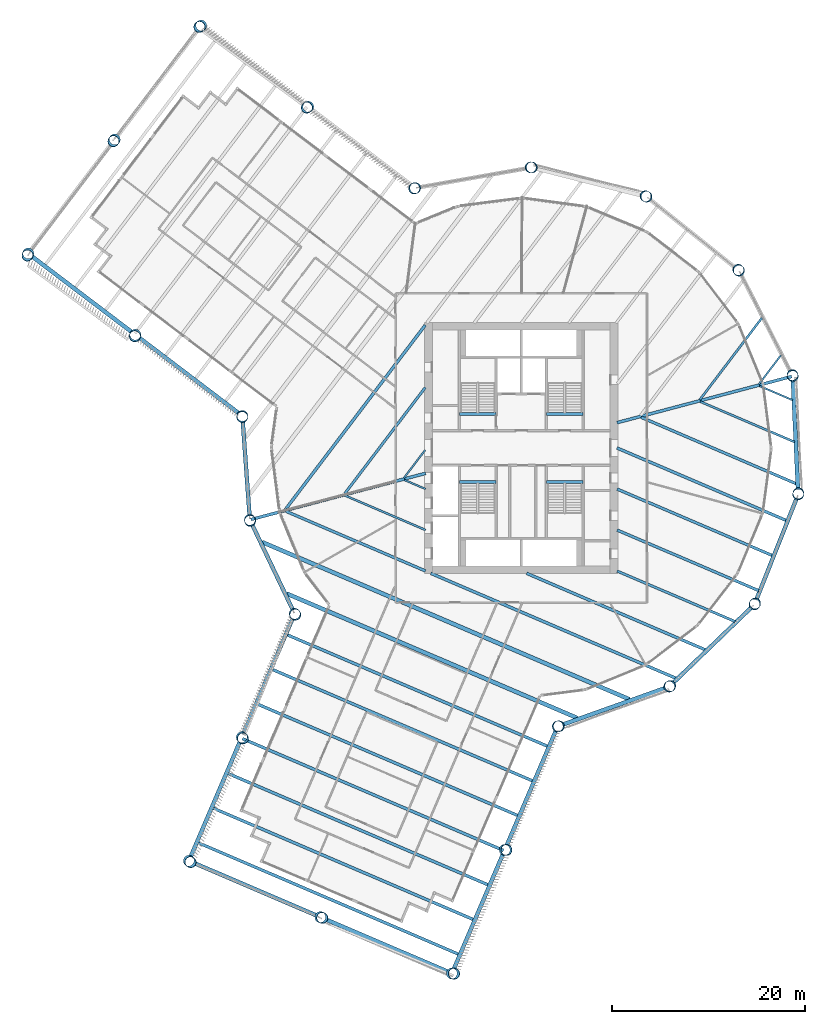
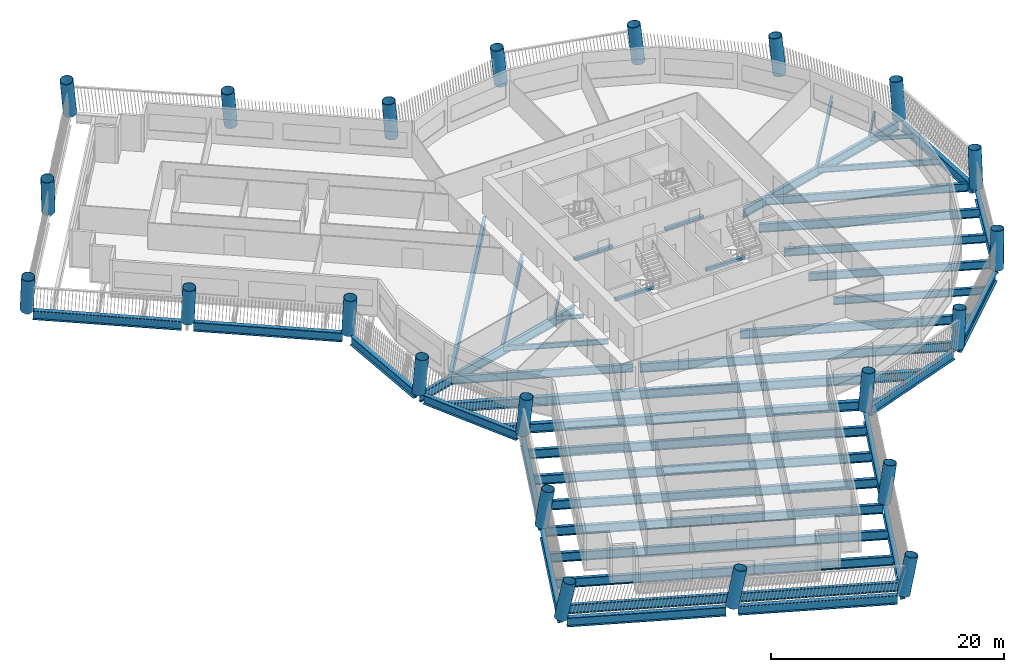
# One storey, part 1 of 16: 46 beams, 22 columns.
"""IFC4 building model written with IfcOpenShell, lengths in metres."""

from ifc_helpers import new_model, si_unit, direction, frame, origin, origin_2d, place, context, subcontext, project, spatial, rectangle, hollow_circle, i_section, extrude, material, material_profile, profile_set, type_object, element, save


model = new_model("IFC4")

# Units and contexts
model_context = context("Model", 3, precision=1e-05, world=origin(), true_north=direction((0.0, 1.0)))
body_context = subcontext(model_context, "Body", "Model", "MODEL_VIEW")
ifc_project = project(units=[si_unit("LENGTHUNIT", "METRE"), si_unit("AREAUNIT", "SQUARE_METRE"), si_unit("VOLUMEUNIT", "CUBIC_METRE"), si_unit("PLANEANGLEUNIT", "RADIAN"), si_unit("MASSUNIT", "GRAM", prefix="KILO")], contexts=[model_context])

# Site, building, storey
site_placement = place(None, origin())
site = spatial("IfcSite", under=ifc_project, at=site_placement, CompositionType="ELEMENT")
building_placement = place(site_placement, origin())
building = spatial("IfcBuilding", under=site, at=building_placement, Name="Tarsis Ring Headquarters", CompositionType="ELEMENT")
storey_placement = place(building_placement, frame((0.0, 0.0, 120.10009765625)))
storey = spatial("IfcBuildingStorey", under=building, at=storey_placement, Name="L27", CompositionType="ELEMENT", Elevation=120.10009765625)

# Columns
ifc_material_1 = material(Name="Structural steel S355", Category="steel")
ifc_material_profile_1 = material_profile(ifc_material_1, hollow_circle(Radius=0.584228515625, WallThickness=0.044921875, at=origin_2d()), Name="CHS 1168x45")
ifc_profile_set_1 = profile_set([ifc_material_profile_1], Name="Structural steel S355")
column_type = type_object("IfcColumnType", Name="XC Exo column CHS 1168x45", PredefinedType="COLUMN", material=ifc_profile_set_1)
for number, where, z_axis, x_axis, name in (
    (1, (-28.082275390625, -7.43017578125, 0.000732421875), (0.026481649674, -0.097327851272, 0.994900000803), (0.964920462542, 0.262542379373, 0.0), "Exo column XC3 F1"),
    (2, (-23.44384765625, -17.152099609375, 0.000732421875), (0.060066749214, -0.081002877571, 0.994902266288), (0.803250607069, 0.595641219396, 0.0), "Exo column XC3 AK"),
):
    element("IfcColumn", number, at=place(storey_placement, frame(where, z_axis=z_axis, x_axis=x_axis)), inside=storey, type_object=column_type, Name=name, PredefinedType="COLUMN", context=body_context, shape_type="SweptSolid", body=[
        extrude(hollow_circle(Radius=0.584228515625, WallThickness=0.044921875, at=origin_2d()), origin(), (0.0, 0.0, 1.0), 3.918212890625),
    ])
column_1_placement = place(storey_placement, frame((-28.916015625, -29.93212890625, 0.0009765625), z_axis=(0.104068698106, -0.099172076813, 0.989613361498), x_axis=(0.689870470102, 0.723932824564, 0.0)))
element("IfcColumn", 3, at=column_1_placement, inside=storey, type_object=column_type, Name="Exo column XC3 AI1", PredefinedType="COLUMN", context=body_context, shape_type="SweptSolid", body=[
    extrude(hollow_circle(Radius=0.584228515625, WallThickness=0.044921875, at=origin_2d()), origin(), (0.0, 0.0, 1.0), 3.93896484375),
])
column_2_placement = place(storey_placement, frame((-34.38818359375, -42.712158203125, 0.001220703125), z_axis=(0.147227185046, -0.116895800914, 0.982170824099), x_axis=(0.621817207878, 0.783162409712, 0.0)))
element("IfcColumn", 4, at=column_2_placement, inside=storey, type_object=column_type, Name="Exo column XC3 AT1", PredefinedType="COLUMN", context=body_context, shape_type="SweptSolid", body=[
    extrude(hollow_circle(Radius=0.584228515625, WallThickness=0.044921875, at=origin_2d()), origin(), (0.0, 0.0, 1.0), 3.96826171875),
])
column_3_placement = place(storey_placement, frame((-20.782958984375, -48.53759765625, 0.001220703125), z_axis=(0.167069129956, -0.070228174097, 0.983440851998), x_axis=(0.387509858951, 0.921865559188, 0.0)))
element("IfcColumn", 5, at=column_3_placement, inside=storey, type_object=column_type, Name="Exo column XC3 AT2", PredefinedType="COLUMN", context=body_context, shape_type="SweptSolid", body=[
    extrude(hollow_circle(Radius=0.584228515625, WallThickness=0.044921875, at=origin_2d()), origin(), (0.0, 0.0, 1.0), 3.963134765625),
])
column_4_placement = place(storey_placement, frame((-7.177734375, -54.36328125, 0.001220703125), z_axis=(0.186541012358, -0.023317626545, 0.982170422585), x_axis=(0.124034734589, 0.992277876714, 0.0)))
element("IfcColumn", 6, at=column_4_placement, inside=storey, type_object=column_type, Name="Exo column XC3 AT3", PredefinedType="COLUMN", context=body_context, shape_type="SweptSolid", body=[
    extrude(hollow_circle(Radius=0.584228515625, WallThickness=0.044921875, at=origin_2d()), origin(), (0.0, 0.0, 1.0), 3.96826171875),
])
column_5_placement = place(storey_placement, frame((-1.70556640625, -41.583251953125, 0.0009765625), z_axis=(0.143675456863, -0.004896618245, 0.989612745585), x_axis=(0.034061328655, 0.999419744597, 0.0)))
element("IfcColumn", 7, at=column_5_placement, inside=storey, type_object=column_type, Name="Exo column XC3 AO1", PredefinedType="COLUMN", context=body_context, shape_type="SweptSolid", body=[
    extrude(hollow_circle(Radius=0.584228515625, WallThickness=0.044921875, at=origin_2d()), origin(), (0.0, 0.0, 1.0), 3.93896484375),
])
for number, where, z_axis, x_axis, name in (
    (8, (3.7666015625, -28.80322265625, 0.000732421875), (0.099944630864, 0.013770426073, 0.994897706363), (-0.136491101389, 0.99064129696, 0.0), "Exo column XC3 AJ"),
    (9, (15.30419921875, -24.690185546875, 0.000732421875), (0.08536417774, 0.053773201014, 0.994897683187), (-0.532993443067, 0.846119370802, 0.0), "Exo column XC3 R1"),
    (10, (24.12060546875, -16.186767578125, 0.000732421875), (0.055642675366, 0.08411826623, 0.994901005108), (-0.834040902954, 0.551702612102, 0.0), "Exo column XC3 R2"),
    (11, (28.648193359375, -4.8056640625, 0.000732421875), (0.016013535316, 0.099632852023, 0.994895402283), (-0.987328643771, 0.158688843933, 0.0), "Exo column XC3 R3"),
    (12, (28.082275390625, 7.43017578125, 0.000732421875), (-0.026481649674, 0.097327851272, 0.994900000803), (-0.964920462542, -0.262542379373, 0.0), "Exo column XC3 R4"),
    (13, (22.52294921875, 18.3447265625, 0.000732421875), (-0.064241055724, 0.077824518525, 0.994895185975), (-0.771198966634, -0.636594183026, 0.0), "Exo column XC3 R5"),
    (14, (12.958984375, 25.99755859375, 0.000732421875), (-0.090598042205, 0.044426687822, 0.994896107218), (-0.440284121696, -0.89785850343, 0.0), "Exo column XC3 R6"),
    (15, (1.091064453125, 29.028076171875, 0.000732421875), (-0.100878882724, 0.003115468892, 0.994893835981), (-0.030868543945, -0.999523452949, 0.0), "Exo column XC3 R7"),
    (16, (-10.97119140625, 26.89697265625, 0.000732421875), (-0.093153061464, -0.038694348608, 0.994899620326), (0.383606328283, -0.923496716237, 0.0), "Exo column XC3 BJ"),
):
    element("IfcColumn", number, at=place(storey_placement, frame(where, z_axis=z_axis, x_axis=x_axis)), inside=storey, type_object=column_type, Name=name, PredefinedType="COLUMN", context=body_context, shape_type="SweptSolid", body=[
        extrude(hollow_circle(Radius=0.584228515625, WallThickness=0.044921875, at=origin_2d()), origin(), (0.0, 0.0, 1.0), 3.918212890625),
    ])
column_6_placement = place(storey_placement, frame((-22.047607421875, 35.29833984375, 0.0009765625), z_axis=(-0.121423530722, -0.076982146583, 0.989611072742), x_axis=(0.535452030195, -0.84456564183, 0.0)))
element("IfcColumn", 17, at=column_6_placement, inside=storey, type_object=column_type, Name="Exo column XC3 BO1", PredefinedType="COLUMN", context=body_context, shape_type="SweptSolid", body=[
    extrude(hollow_circle(Radius=0.584228515625, WallThickness=0.044921875, at=origin_2d()), origin(), (0.0, 0.0, 1.0), 3.93896484375),
])
column_7_placement = place(storey_placement, frame((-33.124267578125, 43.69970703125, 0.001220703125), z_axis=(-0.14901232071, -0.114558604939, 0.982176997446), x_axis=(0.609489271848, -0.792794316013, 0.0)))
element("IfcColumn", 18, at=column_7_placement, inside=storey, type_object=column_type, Name="Exo column XC3 BT3", PredefinedType="COLUMN", context=body_context, shape_type="SweptSolid", body=[
    extrude(hollow_circle(Radius=0.584228515625, WallThickness=0.044921875, at=origin_2d()), origin(), (0.0, 0.0, 1.0), 3.96826171875),
])
column_8_placement = place(storey_placement, frame((-42.068115234375, 31.907958984375, 0.001220703125), z_axis=(-0.108545479355, -0.145137996232, 0.983439291955), x_axis=(0.800815031405, -0.598911750991, 0.0)))
element("IfcColumn", 19, at=column_8_placement, inside=storey, type_object=column_type, Name="Exo column XC3 BT2", PredefinedType="COLUMN", context=body_context, shape_type="SweptSolid", body=[
    extrude(hollow_circle(Radius=0.584228515625, WallThickness=0.044921875, at=origin_2d()), origin(), (0.0, 0.0, 1.0), 3.963134765625),
])
column_9_placement = place(storey_placement, frame((-51.011962890625, 20.1162109375, 0.001220703125), z_axis=(-0.067799506145, -0.175343550376, 0.982169978317), x_axis=(0.932703085044, -0.360645192884, 0.0)))
element("IfcColumn", 20, at=column_9_placement, inside=storey, type_object=column_type, Name="Exo column XC3 BT1", PredefinedType="COLUMN", context=body_context, shape_type="SweptSolid", body=[
    extrude(hollow_circle(Radius=0.584228515625, WallThickness=0.044921875, at=origin_2d()), origin(), (0.0, 0.0, 1.0), 3.96826171875),
])
column_10_placement = place(storey_placement, frame((-39.935546875, 11.71484375, 0.0009765625), z_axis=(-0.039482911295, -0.138221180828, 0.989614068658), x_axis=(0.961540217047, -0.274664178591, 0.0)))
element("IfcColumn", 21, at=column_10_placement, inside=storey, type_object=column_type, Name="Exo column XC3 BI1", PredefinedType="COLUMN", context=body_context, shape_type="SweptSolid", body=[
    extrude(hollow_circle(Radius=0.584228515625, WallThickness=0.044921875, at=origin_2d()), origin(), (0.0, 0.0, 1.0), 3.93896484375),
])
column_11_placement = place(storey_placement, frame((-28.85888671875, 3.3134765625, 0.000732421875), z_axis=(-0.010841858789, -0.100318348566, 0.994896317733), x_axis=(0.994210613933, -0.107448848959, 0.0)))
element("IfcColumn", 22, at=column_11_placement, inside=storey, type_object=column_type, Name="Exo column XC3 BK", PredefinedType="COLUMN", context=body_context, shape_type="SweptSolid", body=[
    extrude(hollow_circle(Radius=0.584228515625, WallThickness=0.044921875, at=origin_2d()), origin(), (0.0, 0.0, 1.0), 3.918212890625),
])

# Beams
ifc_material_profile_2 = material_profile(ifc_material_1, i_section(OverallWidth=0.177734375, OverallDepth=0.406494140625, WebThickness=0.0078125, FlangeThickness=0.0126953125, at=origin_2d()), Name="W16x40")
ifc_profile_set_2 = profile_set([ifc_material_profile_2], Name="Structural steel S355")
beam_type_1 = type_object("IfcBeamType", Name="FB Floor beam W16x40", PredefinedType="JOIST", material=ifc_profile_set_2)
beam_1_placement = place(storey_placement, frame((24.635009765625, 6.42138671875, -0.36328125), z_axis=(0.919290089935, -0.393580653168, 0.0), x_axis=(0.393580653168, 0.919290089935, 0.0)))
element("IfcBeam", 23, at=beam_1_placement, inside=storey, type_object=beam_type_1, Name="Floor beam FB1", PredefinedType="JOIST", context=body_context, shape_type="SweptSolid", body=[
    extrude(i_section(OverallWidth=0.177734375, OverallDepth=0.406494140625, WebThickness=0.0078125, FlangeThickness=0.0126953125, at=origin_2d()), origin(), (0.0, 0.0, 1.0), 3.74169921875),
])
beam_2_placement = place(storey_placement, frame((-12.1083984375, -3.30029296875, -0.36328125), z_axis=(0.919282140165, -0.393599221003, 0.0), x_axis=(0.393599221003, 0.919282140165, 0.0)))
element("IfcBeam", 24, at=beam_2_placement, inside=storey, type_object=beam_type_1, Name="Floor beam FB1", PredefinedType="JOIST", context=body_context, shape_type="SweptSolid", body=[
    extrude(i_section(OverallWidth=0.177734375, OverallDepth=0.406494140625, WebThickness=0.0078125, FlangeThickness=0.0126953125, at=origin_2d()), origin(), (0.0, 0.0, 1.0), 2.3935546875),
])
beam_3_placement = place(storey_placement, frame((26.8486328125, 9.583251953125, -0.36328125), z_axis=(-0.604323644786, -0.796738936135, 0.0), x_axis=(0.796738936135, -0.604323644786, 0.0)))
element("IfcBeam", 25, at=beam_3_placement, inside=storey, type_object=beam_type_1, Name="Floor beam FB1", PredefinedType="JOIST", context=body_context, shape_type="SweptSolid", body=[
    extrude(i_section(OverallWidth=0.177734375, OverallDepth=0.406494140625, WebThickness=0.0078125, FlangeThickness=0.0126953125, at=origin_2d()), origin(), (0.0, 0.0, 1.0), 3.74169921875),
])
beam_4_placement = place(storey_placement, frame((-9.939453125, -0.197265625, -0.36328125), z_axis=(-0.604357345631, -0.79671337304, 0.0), x_axis=(0.79671337304, -0.604357345631, 0.0)))
element("IfcBeam", 26, at=beam_4_placement, inside=storey, type_object=beam_type_1, Name="Floor beam FB1", PredefinedType="JOIST", context=body_context, shape_type="SweptSolid", body=[
    extrude(i_section(OverallWidth=0.177734375, OverallDepth=0.406494140625, WebThickness=0.0078125, FlangeThickness=0.0126953125, at=origin_2d()), origin(), (0.0, 0.0, 1.0), 3.66796875),
])
ifc_material_profile_3 = material_profile(ifc_material_1, i_section(OverallWidth=0.209228515625, OverallDepth=0.533447265625, WebThickness=0.01025390625, FlangeThickness=0.015625, at=origin_2d()), Name="W21x62")
ifc_profile_set_3 = profile_set([ifc_material_profile_3], Name="Structural steel S355")
beam_type_2 = type_object("IfcBeamType", Name="FB Floor beam W21x62", PredefinedType="JOIST", material=ifc_profile_set_3)
beam_5_placement = place(storey_placement, frame((-18.232421875, -4.920654296875, -0.4267578125), z_axis=(0.919281637956, -0.39360039395, 0.0), x_axis=(0.39360039395, 0.919281637956, 0.0)))
element("IfcBeam", 27, at=beam_5_placement, inside=storey, type_object=beam_type_2, Name="Floor beam FB3", PredefinedType="JOIST", context=body_context, shape_type="SweptSolid", body=[
    extrude(i_section(OverallWidth=0.209228515625, OverallDepth=0.533447265625, WebThickness=0.01025390625, FlangeThickness=0.015625, at=origin_2d()), origin(), (0.0, 0.0, 1.0), 9.055419921875),
])
ifc_material_profile_4 = material_profile(ifc_material_1, i_section(OverallWidth=0.228271484375, OverallDepth=0.607177734375, WebThickness=0.01123046875, FlangeThickness=0.017333984375, at=origin_2d()), Name="W24x76")
ifc_profile_set_4 = profile_set([ifc_material_profile_4], Name="Structural steel S355")
beam_type_3 = type_object("IfcBeamType", Name="FB Floor beam W24x76", PredefinedType="JOIST", material=ifc_profile_set_4)
beam_6_placement = place(storey_placement, frame((18.51123046875, 4.80126953125, -0.463623046875), z_axis=(0.919265070515, -0.393639086132, 0.0), x_axis=(0.393639086132, 0.919265070515, 0.0)))
element("IfcBeam", 28, at=beam_6_placement, inside=storey, type_object=beam_type_3, Name="Floor beam FB4", PredefinedType="JOIST", context=body_context, shape_type="SweptSolid", body=[
    extrude(i_section(OverallWidth=0.228271484375, OverallDepth=0.607177734375, WebThickness=0.01123046875, FlangeThickness=0.017333984375, at=origin_2d()), origin(), (0.0, 0.0, 1.0), 10.62109375),
])
beam_7_placement = place(storey_placement, frame((24.882080078125, 13.444091796875, -0.463623046875), z_axis=(-0.604323593404, -0.796738975108, 0.0), x_axis=(0.796738975108, -0.604323593404, 0.0)))
element("IfcBeam", 29, at=beam_7_placement, inside=storey, type_object=beam_type_3, Name="Floor beam FB4", PredefinedType="JOIST", context=body_context, shape_type="SweptSolid", body=[
    extrude(i_section(OverallWidth=0.228271484375, OverallDepth=0.607177734375, WebThickness=0.01123046875, FlangeThickness=0.017333984375, at=origin_2d()), origin(), (0.0, 0.0, 1.0), 10.621337890625),
])
ifc_material_profile_5 = material_profile(ifc_material_1, i_section(OverallWidth=0.2666015625, OverallDepth=0.7568359375, WebThickness=0.013916015625, FlangeThickness=0.019287109375, at=origin_2d()), Name="W30x108")
ifc_profile_set_5 = profile_set([ifc_material_profile_5], Name="Structural steel S355")
beam_type_4 = type_object("IfcBeamType", Name="FB Floor beam W30x108", PredefinedType="JOIST", material=ifc_profile_set_5)
beam_8_placement = place(storey_placement, frame((9.907958984375, -12.7275390625, -0.53857421875), z_axis=(0.91927811169, -0.393608629691, 0.0), x_axis=(0.393608629691, 0.91927811169, 0.0)))
element("IfcBeam", 30, at=beam_8_placement, inside=storey, type_object=beam_type_4, Name="Floor beam FB6", PredefinedType="JOIST", context=body_context, shape_type="SweptSolid", body=[
    extrude(i_section(OverallWidth=0.2666015625, OverallDepth=0.7568359375, WebThickness=0.013916015625, FlangeThickness=0.019287109375, at=origin_2d()), origin(), (0.0, 0.0, 1.0), 13.279296875),
])
beam_9_placement = place(storey_placement, frame((-9.939453125, 6.256103515625, -0.53857421875), z_axis=(-0.604327243158, -0.796736206769, 0.0), x_axis=(0.796736206769, -0.604327243158, 0.0)))
element("IfcBeam", 31, at=beam_9_placement, inside=storey, type_object=beam_type_4, Name="Floor beam FB6", PredefinedType="JOIST", context=body_context, shape_type="SweptSolid", body=[
    extrude(i_section(OverallWidth=0.2666015625, OverallDepth=0.7568359375, WebThickness=0.013916015625, FlangeThickness=0.019287109375, at=origin_2d()), origin(), (0.0, 0.0, 1.0), 13.801513671875),
])
ifc_material_profile_6 = material_profile(ifc_material_1, i_section(OverallWidth=0.2919921875, OverallDepth=0.835693359375, WebThickness=0.013916015625, FlangeThickness=0.018798828125, at=origin_2d()), Name="W33x118")
ifc_profile_set_6 = profile_set([ifc_material_profile_6], Name="Structural steel S355")
beam_type_5 = type_object("IfcBeamType", Name="FB Floor beam W33x118", PredefinedType="JOIST", material=ifc_profile_set_6)
beam_10_placement = place(storey_placement, frame((12.38720703125, 3.180908203125, -0.577880859375), z_axis=(0.919274139913, -0.393617905698, 0.0), x_axis=(0.393617905698, 0.919274139913, 0.0)))
element("IfcBeam", 32, at=beam_10_placement, inside=storey, type_object=beam_type_5, Name="Floor beam FB7", PredefinedType="JOIST", context=body_context, shape_type="SweptSolid", body=[
    extrude(i_section(OverallWidth=0.2919921875, OverallDepth=0.835693359375, WebThickness=0.013916015625, FlangeThickness=0.018798828125, at=origin_2d()), origin(), (0.0, 0.0, 1.0), 17.5009765625),
])
beam_11_placement = place(storey_placement, frame((9.907958984375, -4.242431640625, -0.577880859375), z_axis=(0.919272595116, -0.393621513472, 0.0), x_axis=(0.393621513472, 0.919272595116, 0.0)))
element("IfcBeam", 33, at=beam_11_placement, inside=storey, type_object=beam_type_5, Name="Floor beam FB7", PredefinedType="JOIST", context=body_context, shape_type="SweptSolid", body=[
    extrude(i_section(OverallWidth=0.2919921875, OverallDepth=0.835693359375, WebThickness=0.013916015625, FlangeThickness=0.018798828125, at=origin_2d()), origin(), (0.0, 0.0, 1.0), 17.51513671875),
])
beam_12_placement = place(storey_placement, frame((9.907958984375, -8.485107421875, -0.577880859375), z_axis=(0.919276436254, -0.393612542672, 0.0), x_axis=(0.393612542672, 0.919276436254, 0.0)))
element("IfcBeam", 34, at=beam_12_placement, inside=storey, type_object=beam_type_5, Name="Floor beam FB7", PredefinedType="JOIST", context=body_context, shape_type="SweptSolid", body=[
    extrude(i_section(OverallWidth=0.2919921875, OverallDepth=0.835693359375, WebThickness=0.013916015625, FlangeThickness=0.018798828125, at=origin_2d()), origin(), (0.0, 0.0, 1.0), 15.946044921875),
])
beam_13_placement = place(storey_placement, frame((-24.356201171875, -6.541015625, -0.577880859375), z_axis=(0.919273534317, -0.393619320034, 0.0), x_axis=(0.393619320034, 0.919273534317, 0.0)))
element("IfcBeam", 35, at=beam_13_placement, inside=storey, type_object=beam_type_5, Name="Floor beam FB7", PredefinedType="JOIST", context=body_context, shape_type="SweptSolid", body=[
    extrude(i_section(OverallWidth=0.2919921875, OverallDepth=0.835693359375, WebThickness=0.013916015625, FlangeThickness=0.018798828125, at=origin_2d()), origin(), (0.0, 0.0, 1.0), 15.717041015625),
])
ifc_material_profile_7 = material_profile(ifc_material_1, i_section(OverallWidth=0.3046875, OverallDepth=0.904296875, WebThickness=0.01513671875, FlangeThickness=0.02001953125, at=origin_2d()), Name="W36x135")
ifc_profile_set_7 = profile_set([ifc_material_profile_7], Name="Structural steel S355")
beam_type_6 = type_object("IfcBeamType", Name="FB Floor beam W36x135", PredefinedType="JOIST", material=ifc_profile_set_7)
beam_14_placement = place(storey_placement, frame((9.907958984375, 0.0, -0.6123046875), z_axis=(0.919272032454, -0.393622827524, 0.0), x_axis=(0.393622827524, 0.919272032454, 0.0)))
element("IfcBeam", 36, at=beam_14_placement, inside=storey, type_object=beam_type_6, Name="Floor beam FB8", PredefinedType="JOIST", context=body_context, shape_type="SweptSolid", body=[
    extrude(i_section(OverallWidth=0.3046875, OverallDepth=0.904296875, WebThickness=0.01513671875, FlangeThickness=0.02001953125, at=origin_2d()), origin(), (0.0, 0.0, 1.0), 19.08349609375),
])
beam_15_placement = place(storey_placement, frame((0.544677734375, -12.960693359375, -0.6123046875), z_axis=(0.919271569748, -0.393623908132, 0.0), x_axis=(0.393623908132, 0.919271569748, 0.0)))
element("IfcBeam", 37, at=beam_15_placement, inside=storey, type_object=beam_type_6, Name="Floor beam FB8", PredefinedType="JOIST", context=body_context, shape_type="SweptSolid", body=[
    extrude(i_section(OverallWidth=0.3046875, OverallDepth=0.904296875, WebThickness=0.01513671875, FlangeThickness=0.02001953125, at=origin_2d()), origin(), (0.0, 0.0, 1.0), 20.15087890625),
])
ifc_material_profile_8 = material_profile(ifc_material_1, i_section(OverallWidth=0.3046875, OverallDepth=0.91943359375, WebThickness=0.017333984375, FlangeThickness=0.02783203125, at=origin_2d()), Name="W36x170")
ifc_profile_set_8 = profile_set([ifc_material_profile_8], Name="Structural steel S355")
beam_type_7 = type_object("IfcBeamType", Name="FB Floor beam W36x170", PredefinedType="JOIST", material=ifc_profile_set_8)
beam_16_placement = place(storey_placement, frame((-9.939453125, 12.709716796875, -0.619873046875), z_axis=(-0.604324193599, -0.796738519861, 0.0), x_axis=(0.796738519861, -0.604324193599, 0.0)))
element("IfcBeam", 38, at=beam_16_placement, inside=storey, type_object=beam_type_7, Name="Floor beam FB9", PredefinedType="JOIST", context=body_context, shape_type="SweptSolid", body=[
    extrude(i_section(OverallWidth=0.3046875, OverallDepth=0.91943359375, WebThickness=0.017333984375, FlangeThickness=0.02783203125, at=origin_2d()), origin(), (0.0, 0.0, 1.0), 23.93505859375),
])
ifc_material_profile_9 = material_profile(ifc_material_1, i_section(OverallWidth=0.309814453125, OverallDepth=0.949951171875, WebThickness=0.0244140625, FlangeThickness=0.0439453125, at=origin_2d()), Name="W36x256")
ifc_profile_set_9 = profile_set([ifc_material_profile_9], Name="Structural steel S355")
beam_type_8 = type_object("IfcBeamType", Name="FB Floor beam W36x256", PredefinedType="JOIST", material=ifc_profile_set_9)
beam_17_placement = place(storey_placement, frame((-9.363525390625, -12.960693359375, -0.635009765625), z_axis=(0.919273934325, -0.393618385839, 0.0), x_axis=(0.393618385839, 0.919273934325, 0.0)))
element("IfcBeam", 39, at=beam_17_placement, inside=storey, type_object=beam_type_8, Name="Floor beam FB11", PredefinedType="JOIST", context=body_context, shape_type="SweptSolid", body=[
    extrude(i_section(OverallWidth=0.309814453125, OverallDepth=0.949951171875, WebThickness=0.0244140625, FlangeThickness=0.0439453125, at=origin_2d()), origin(), (0.0, 0.0, 1.0), 27.615234375),
])
for number, where, z_axis, x_axis, name in (
    (40, (-24.248046875, -19.314697265625, -0.635009765625), (0.919272225306, -0.393622377135, 0.0), (0.393622377135, 0.919272225306, 0.0), "Floor beam FB11"),
    (41, (-25.783203125, -22.89990234375, -0.635009765625), (0.919272225306, -0.393622377135, 0.0), (0.393622377135, 0.919272225306, 0.0), "Floor beam FB11"),
    (42, (-27.318359375, -26.485107421875, -0.635009765625), (0.919275232567, -0.393615353852, 0.0), (0.393615353852, 0.919275232567, 0.0), "Floor beam FB11"),
    (43, (-28.853515625, -30.070068359375, -0.635009765625), (0.919272225306, -0.393622377135, 0.0), (0.393622377135, 0.919272225306, 0.0), "Floor beam FB11"),
    (44, (-30.388427734375, -33.6552734375, -0.635009765625), (0.919270937607, -0.393625384435, 0.0), (0.393625384435, 0.919270937607, 0.0), "Floor beam FB11"),
    (45, (-31.923583984375, -37.240478515625, -0.635009765625), (0.919272225306, -0.393622377135, 0.0), (0.393622377135, 0.919272225306, 0.0), "Floor beam FB11"),
    (46, (-33.458740234375, -40.82568359375, -0.635009765625), (0.919272225306, -0.393622377135, 0.0), (0.393622377135, 0.919272225306, 0.0), "Floor beam FB11"),
):
    element("IfcBeam", number, at=place(storey_placement, frame(where, z_axis=z_axis, x_axis=x_axis)), inside=storey, type_object=beam_type_8, Name=name, PredefinedType="JOIST", context=body_context, shape_type="SweptSolid", body=[
        extrude(i_section(OverallWidth=0.309814453125, OverallDepth=0.949951171875, WebThickness=0.0244140625, FlangeThickness=0.0439453125, at=origin_2d()), origin(), (0.0, 0.0, 1.0), 29.375732421875),
    ])
beam_type_9 = type_object("IfcBeamType", Name="FB Floor beam W36x256 spine", PredefinedType="BEAM", material=ifc_profile_set_9)
beam_18_placement = place(storey_placement, frame((-9.9033203125, -2.620361328125, -0.635009765625), z_axis=(-0.966736776056, -0.255773348536, 0.0), x_axis=(0.255773348536, -0.966736776056, 0.0)))
element("IfcBeam", 47, at=beam_18_placement, inside=storey, type_object=beam_type_9, Name="Floor beam SB11", PredefinedType="BEAM", context=body_context, shape_type="SweptSolid", body=[
    extrude(i_section(OverallWidth=0.309814453125, OverallDepth=0.949951171875, WebThickness=0.0244140625, FlangeThickness=0.0439453125, at=origin_2d()), origin(), (0.0, 0.0, 1.0), 18.6884765625),
])
beam_19_placement = place(storey_placement, frame((27.968994140625, 7.400146484375, -0.635009765625), z_axis=(-0.966735733047, -0.255777290723, 0.0), x_axis=(0.255777290723, -0.966735733047, 0.0)))
element("IfcBeam", 48, at=beam_19_placement, inside=storey, type_object=beam_type_9, Name="Floor beam SB11", PredefinedType="BEAM", context=body_context, shape_type="SweptSolid", body=[
    extrude(i_section(OverallWidth=0.309814453125, OverallDepth=0.949951171875, WebThickness=0.0244140625, FlangeThickness=0.0439453125, at=origin_2d()), origin(), (0.0, 0.0, 1.0), 18.687255859375),
])
ifc_material_profile_10 = material_profile(ifc_material_1, i_section(OverallWidth=0.42431640625, OverallDepth=0.947509765625, WebThickness=0.02392578125, FlangeThickness=0.042724609375, at=origin_2d()), Name="W36x302")
ifc_profile_set_10 = profile_set([ifc_material_profile_10], Name="Structural steel S355")
beam_type_10 = type_object("IfcBeamType", Name="FB Floor beam W36x302", PredefinedType="JOIST", material=ifc_profile_set_10)
beam_20_placement = place(storey_placement, frame((-26.824951171875, -9.726318359375, -0.6337890625), z_axis=(0.91927201533, -0.393622867516, 0.0), x_axis=(0.393622867516, 0.91927201533, 0.0)))
element("IfcBeam", 49, at=beam_20_placement, inside=storey, type_object=beam_type_10, Name="Floor beam FB12", PredefinedType="JOIST", context=body_context, shape_type="SweptSolid", body=[
    extrude(i_section(OverallWidth=0.42431640625, OverallDepth=0.947509765625, WebThickness=0.02392578125, FlangeThickness=0.042724609375, at=origin_2d()), origin(), (0.0, 0.0, 1.0), 41.353271484375),
])
beam_21_placement = place(storey_placement, frame((-24.28125, -15.05810546875, -0.6337890625), z_axis=(0.919274717391, -0.393616557027, 0.0), x_axis=(0.393616557027, 0.919274717391, 0.0)))
element("IfcBeam", 50, at=beam_21_placement, inside=storey, type_object=beam_type_10, Name="Floor beam FB12", PredefinedType="JOIST", context=body_context, shape_type="SweptSolid", body=[
    extrude(i_section(OverallWidth=0.42431640625, OverallDepth=0.947509765625, WebThickness=0.02392578125, FlangeThickness=0.042724609375, at=origin_2d()), origin(), (0.0, 0.0, 1.0), 32.70458984375),
])
ifc_material_2 = material(Name="Concrete C40/50", Category="concrete")
ifc_material_profile_11 = material_profile(ifc_material_2, rectangle(XDim=0.300048828125, YDim=0.300048828125, at=origin_2d()), Name="Stair head beam 300x300 C40/50")
ifc_profile_set_11 = profile_set([ifc_material_profile_11], Name="Concrete C40/50")
beam_type_11 = type_object("IfcBeamType", Name="Stair head beam 300x300 C40/50", PredefinedType="BEAM", material=ifc_profile_set_11)
for number, where, z_axis, x_axis, name in (
    (51, (-6.39990234375, 3.510009765625, -0.31005859375), (1.0, 0.0, 0.0), (0.0, 1.0, 0.0), "Stair head beam L27 Firefighting stair"),
    (52, (2.60009765625, 3.510009765625, -0.31005859375), (1.0, 0.0, 0.0), (0.0, 1.0, 0.0), "Stair head beam L27 Exit stair B"),
    (53, (-6.39990234375, -3.510009765625, -0.31005859375), (1.0, 0.0, 0.0), (0.0, 1.0, 0.0), "Stair head beam L27 Exit stair C"),
    (54, (2.60009765625, -3.510009765625, -0.31005859375), (1.0, 0.0, 0.0), (0.0, 1.0, 0.0), "Stair head beam L27 Exit stair D"),
):
    element("IfcBeam", number, at=place(storey_placement, frame(where, z_axis=z_axis, x_axis=x_axis)), inside=storey, type_object=beam_type_11, Name=name, PredefinedType="BEAM", context=body_context, shape_type="SweptSolid", body=[
        extrude(rectangle(XDim=0.300048828125, YDim=0.300048828125, at=origin_2d()), origin(), (0.0, 0.0, 1.0), 3.7998046875),
    ])
beam_type_12 = type_object("IfcBeamType", Name="XG Ring girder W36x302", PredefinedType="BEAM", material=ifc_profile_set_10)
beam_22_placement = place(storey_placement, frame((-27.855712890625, -7.90478515625, -0.473876953125), z_axis=(0.430589633024, -0.902547820302, 0.0), x_axis=(0.902547820302, 0.430589633024, 0.0)))
element("IfcBeam", 55, at=beam_22_placement, inside=storey, type_object=beam_type_12, Name="Ring girder XG1", PredefinedType="BEAM", context=body_context, shape_type="SweptSolid", body=[
    extrude(i_section(OverallWidth=0.42431640625, OverallDepth=0.947509765625, WebThickness=0.02392578125, FlangeThickness=0.042724609375, at=origin_2d()), origin(), (0.0, 0.0, 1.0), 9.719970703125),
])
beam_23_placement = place(storey_placement, frame((-23.65087890625, -17.635498046875, -0.473876953125), z_axis=(-0.393625787511, -0.919270765012, 0.0), x_axis=(0.919270765012, -0.393625787511, 0.0)))
element("IfcBeam", 56, at=beam_23_placement, inside=storey, type_object=beam_type_12, Name="Ring girder XG1", PredefinedType="BEAM", context=body_context, shape_type="SweptSolid", body=[
    extrude(i_section(OverallWidth=0.42431640625, OverallDepth=0.947509765625, WebThickness=0.02392578125, FlangeThickness=0.042724609375, at=origin_2d()), origin(), (0.0, 0.0, 1.0), 12.8505859375),
])
beam_24_placement = place(storey_placement, frame((-29.123291015625, -30.415283203125, -0.473876953125), z_axis=(-0.393602858428, -0.919280582759, 0.0), x_axis=(0.919280582759, -0.393602858428, 0.0)))
element("IfcBeam", 57, at=beam_24_placement, inside=storey, type_object=beam_type_12, Name="Ring girder XG1", PredefinedType="BEAM", context=body_context, shape_type="SweptSolid", body=[
    extrude(i_section(OverallWidth=0.42431640625, OverallDepth=0.947509765625, WebThickness=0.02392578125, FlangeThickness=0.042724609375, at=origin_2d()), origin(), (0.0, 0.0, 1.0), 12.850830078125),
])
for number, where, z_axis, x_axis, name in (
    (58, (-33.905029296875, -42.9189453125, -0.473876953125), (0.919272654842, -0.393621373988, 0.0), (0.393621373988, 0.919272654842, 0.0), "Ring girder XG1"),
    (59, (-20.2998046875, -48.74462890625, -0.473876953125), (0.919272654842, -0.393621373988, 0.0), (0.393621373988, 0.919272654842, 0.0), "Ring girder XG1"),
):
    element("IfcBeam", number, at=place(storey_placement, frame(where, z_axis=z_axis, x_axis=x_axis)), inside=storey, type_object=beam_type_12, Name=name, PredefinedType="BEAM", context=body_context, shape_type="SweptSolid", body=[
        extrude(i_section(OverallWidth=0.42431640625, OverallDepth=0.947509765625, WebThickness=0.02392578125, FlangeThickness=0.042724609375, at=origin_2d()), origin(), (0.0, 0.0, 1.0), 13.748291015625),
    ])
for number, where, z_axis, x_axis, name in (
    (60, (-6.970947265625, -53.8798828125, -0.473876953125), (0.393625787511, 0.919270765012, 0.0), (-0.919270765012, 0.393625787511, 0.0), "Ring girder XG1"),
    (61, (-1.498779296875, -41.099853515625, -0.473876953125), (0.393625787511, 0.919270765012, 0.0), (-0.919270765012, 0.393625787511, 0.0), "Ring girder XG1"),
):
    element("IfcBeam", number, at=place(storey_placement, frame(where, z_axis=z_axis, x_axis=x_axis)), inside=storey, type_object=beam_type_12, Name=name, PredefinedType="BEAM", context=body_context, shape_type="SweptSolid", body=[
        extrude(i_section(OverallWidth=0.42431640625, OverallDepth=0.947509765625, WebThickness=0.02392578125, FlangeThickness=0.042724609375, at=origin_2d()), origin(), (0.0, 0.0, 1.0), 12.8505859375),
    ])
for number, where, z_axis, x_axis, name in (
    (62, (4.26171875, -28.626708984375, -0.473876953125), (0.941934634192, 0.335796284836, 0.0), (-0.335796284836, 0.941934634192, 0.0), "Ring girder XG1"),
    (63, (15.6826171875, -24.3251953125, -0.473876953125), (0.719778924799, 0.694203355952, 0.0), (-0.694203355952, 0.719778924799, 0.0), "Ring girder XG1"),
    (64, (24.31494140625, -15.698486328125, -0.473876953125), (0.36963445613, 0.929177253726, 0.0), (-0.929177253726, 0.36963445613, 0.0), "Ring girder XG1"),
    (65, (28.6240234375, -4.280517578125, -0.473876953125), (-0.04622359426, 0.998931118413, 0.0), (-0.998931118413, -0.04622359426, 0.0), "Ring girder XG1"),
):
    element("IfcBeam", number, at=place(storey_placement, frame(where, z_axis=z_axis, x_axis=x_axis)), inside=storey, type_object=beam_type_12, Name=name, PredefinedType="BEAM", context=body_context, shape_type="SweptSolid", body=[
        extrude(i_section(OverallWidth=0.42431640625, OverallDepth=0.947509765625, WebThickness=0.02392578125, FlangeThickness=0.042724609375, at=origin_2d()), origin(), (0.0, 0.0, 1.0), 11.197265625),
    ])
beam_25_placement = place(storey_placement, frame((-50.593017578125, 19.798583984375, -0.473876953125), z_axis=(0.796746469893, -0.604313712166, 0.0), x_axis=(0.604313712166, 0.796746469893, 0.0)))
element("IfcBeam", 66, at=beam_25_placement, inside=storey, type_object=beam_type_12, Name="Ring girder XG1", PredefinedType="BEAM", context=body_context, shape_type="SweptSolid", body=[
    extrude(i_section(OverallWidth=0.42431640625, OverallDepth=0.947509765625, WebThickness=0.02392578125, FlangeThickness=0.042724609375, at=origin_2d()), origin(), (0.0, 0.0, 1.0), 12.850830078125),
])
beam_26_placement = place(storey_placement, frame((-39.516357421875, 11.397216796875, -0.473876953125), z_axis=(0.796739531687, -0.604322859609, 0.0), x_axis=(0.604322859609, 0.796739531687, 0.0)))
element("IfcBeam", 67, at=beam_26_placement, inside=storey, type_object=beam_type_12, Name="Ring girder XG1", PredefinedType="BEAM", context=body_context, shape_type="SweptSolid", body=[
    extrude(i_section(OverallWidth=0.42431640625, OverallDepth=0.947509765625, WebThickness=0.02392578125, FlangeThickness=0.042724609375, at=origin_2d()), origin(), (0.0, 0.0, 1.0), 12.8505859375),
])
beam_27_placement = place(storey_placement, frame((-28.821044921875, 2.7890625, -0.473876953125), z_axis=(0.07211094654, -0.997396616893, 0.0), x_axis=(0.997396616893, 0.07211094654, 0.0)))
element("IfcBeam", 68, at=beam_27_placement, inside=storey, type_object=beam_type_12, Name="Ring girder XG1", PredefinedType="BEAM", context=body_context, shape_type="SweptSolid", body=[
    extrude(i_section(OverallWidth=0.42431640625, OverallDepth=0.947509765625, WebThickness=0.02392578125, FlangeThickness=0.042724609375, at=origin_2d()), origin(), (0.0, 0.0, 1.0), 9.72021484375),
])

save(model, "model.ifc")
